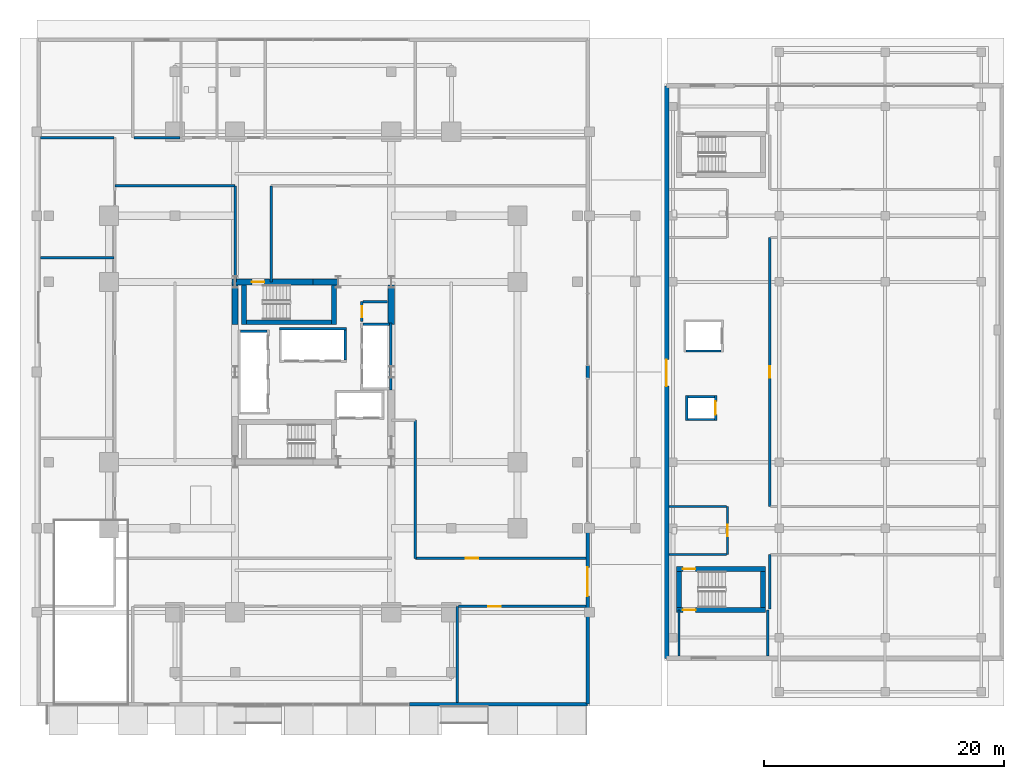
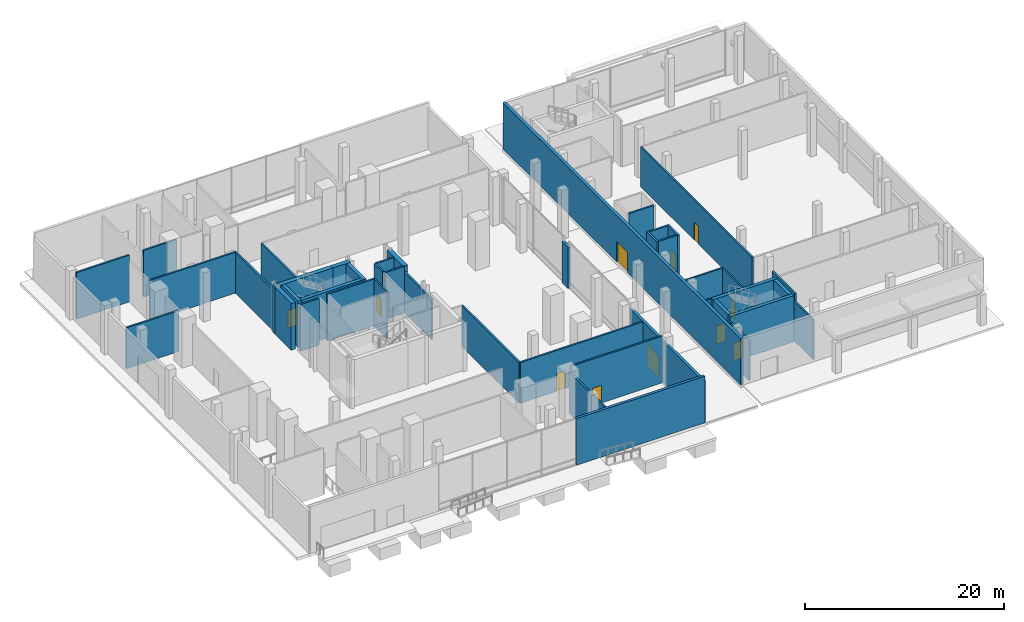
# One storey, part 26 of 34: 44 walls, 11 doors, 11 openings.
"""IFC4 building model written with IfcOpenShell, lengths in metres."""

import ifcopenshell
import ifcopenshell.guid

model = None  # the IFC model being written
_history = None  # IfcOwnerHistory: only IFC2X3 demands one
_inside = {}  # id of a spatial element -> (the spatial element, [elements in it])
_under = {}  # id of a project, library or spatial element -> (it, [spatial elements below it])
_declared = {}  # id of a project -> (the project, [libraries it declares])
_typed = {}  # id of a type object -> (the type object, [elements of that type])
_made_of = {}  # id of a material, layer set ... -> (it, [elements and type objects made of it])


def new_model(schema):
    """Start an empty IFC model of exactly this schema.

    Asked for "IFC4X3", IfcOpenShell would pick the latest addendum, in which some entities
    have other attributes; the version numbers below select the first issue.
    IFC2X3 requires an IfcOwnerHistory on every rooted entity: one is made here for all.
    """
    global model, _history
    if schema == "IFC4X3":
        model = ifcopenshell.file(schema_version=(4, 3, 0, 0))
    else:
        model = ifcopenshell.file(schema=schema)
    _inside.clear()
    _under.clear()
    _declared.clear()
    _typed.clear()
    _made_of.clear()
    _history = None
    if model.schema == "IFC2X3":
        org = make("IfcOrganization", Name="unknown")
        user = make(
            "IfcPersonAndOrganization",
            ThePerson=make("IfcPerson", FamilyName="unknown"),
            TheOrganization=org,
        )
        app = make(
            "IfcApplication",
            ApplicationDeveloper=org,
            Version="unknown",
            ApplicationFullName="unknown",
            ApplicationIdentifier="unknown",
        )
        _history = make(
            "IfcOwnerHistory",
            OwningUser=user,
            OwningApplication=app,
            ChangeAction="ADDED",
            CreationDate=0,
        )
    return model


def make(cls, **values):
    """One entity of the class cls with the attributes given. An attribute that is None is left unset."""
    return model.create_entity(
        cls, **{name: value for name, value in values.items() if value is not None}
    )


def rooted(cls, **values):
    """An entity with a GlobalId (a new one), such as an element, a storey or a relation."""
    return make(cls, GlobalId=ifcopenshell.guid.new(), OwnerHistory=_history, **values)


def si_unit(unit_type, name, prefix=None):
    """IfcSIUnit, for example si_unit("LENGTHUNIT", "METRE", prefix="MILLI")."""
    return make("IfcSIUnit", UnitType=unit_type, Prefix=prefix, Name=name)


def assignment(units):
    """IfcUnitAssignment: the units of a project."""
    return None if units is None else make("IfcUnitAssignment", Units=units)


def point(xyz):
    """IfcCartesianPoint."""
    return None if xyz is None else make("IfcCartesianPoint", Coordinates=xyz)


def direction(xyz):
    """IfcDirection."""
    return None if xyz is None else make("IfcDirection", DirectionRatios=xyz)


def frame(location, z_axis=None, x_axis=None):
    """IfcAxis2Placement3D, a coordinate frame: its origin and axes. An axis left out is left unset."""
    return make(
        "IfcAxis2Placement3D",
        Location=point(location),
        Axis=direction(z_axis),
        RefDirection=direction(x_axis),
    )


def frame_2d(location, x_axis=None):
    """IfcAxis2Placement2D, a coordinate frame in the plane: its origin and x axis."""
    return make(
        "IfcAxis2Placement2D", Location=point(location), RefDirection=direction(x_axis)
    )


def origin():
    """The frame at (0, 0, 0) with its axes left unset."""
    return frame((0.0, 0.0, 0.0))


def place(relative_to, where):
    """IfcLocalPlacement: puts the frame where relative to a parent placement (None: the world)."""
    return make(
        "IfcLocalPlacement", PlacementRelTo=relative_to, RelativePlacement=where
    )


def context(
    kind, dimensions, precision=None, world=None, true_north=None, identifier=None
):
    """IfcGeometricRepresentationContext, for example the 3D "Model" context."""
    return make(
        "IfcGeometricRepresentationContext",
        ContextIdentifier=identifier,
        ContextType=kind,
        CoordinateSpaceDimension=dimensions,
        Precision=precision,
        WorldCoordinateSystem=world,
        TrueNorth=true_north,
    )


def subcontext(parent, identifier, kind, view, scale=None):
    """IfcGeometricRepresentationSubContext, for example "Body" below "Model"."""
    return make(
        "IfcGeometricRepresentationSubContext",
        ContextIdentifier=identifier,
        ContextType=kind,
        ParentContext=parent,
        TargetScale=scale,
        TargetView=view,
    )


def project(units=None, contexts=None):
    """IfcProject with its units and contexts."""
    return rooted(
        "IfcProject",
        Name="project",
        RepresentationContexts=contexts,
        UnitsInContext=assignment(units),
    )


def spatial(cls, under=None, at=None, **own):
    """A site, building, storey or space (cls), placed at a placement, below another one or the project."""
    s = rooted(cls, ObjectPlacement=at, **own)
    if under is not None:
        _under.setdefault(under.id(), (under, []))[1].append(s)
    return s


def profile(cls, at=None, kind="AREA", **sizes):
    """A parametric profile (cls). Its sizes go by their IFC names, for example OverallWidth=200.0."""
    return make(cls, ProfileType=kind, Position=at, **sizes)


def rectangle(**sizes):
    """IfcRectangleProfileDef."""
    return profile("IfcRectangleProfileDef", **sizes)


def extrude(swept, where, along, depth):
    """IfcExtrudedAreaSolid: the profile swept, set in the frame where, extruded along a direction by depth."""
    return make(
        "IfcExtrudedAreaSolid",
        SweptArea=swept,
        Position=where,
        ExtrudedDirection=direction(along),
        Depth=depth,
    )


def shape(context_of_items, identifier, shape_type, items):
    """IfcShapeRepresentation: the items that make up one representation, for example the "Body"."""
    return make(
        "IfcShapeRepresentation",
        ContextOfItems=context_of_items,
        RepresentationIdentifier=identifier,
        RepresentationType=shape_type,
        Items=items,
    )


def material(Name=None, Category=None):
    """IfcMaterial."""
    return make("IfcMaterial", Name=Name, Category=Category)


def layer(
    of_material, thickness, ventilated=None, Name=None, Category=None, Priority=None
):
    """IfcMaterialLayer: one layer of a wall or slab, of a material (None: an air gap)."""
    return make(
        "IfcMaterialLayer",
        Material=of_material,
        LayerThickness=thickness,
        IsVentilated=ventilated,
        Name=Name,
        Category=Category,
        Priority=Priority,
    )


def layer_set(layers, Name=None):
    """IfcMaterialLayerSet."""
    return make("IfcMaterialLayerSet", MaterialLayers=layers, LayerSetName=Name)


def made_of(thing, what):
    """Note that an element or type object is made of a material, layer set ...; save() writes the relation."""
    if what is not None:
        _made_of.setdefault(what.id(), (what, []))[1].append(thing)
    return thing


def type_object(cls, material=None, **own):
    """A type object (cls), such as IfcWallType, which elements share."""
    return made_of(rooted(cls, **own), material)


def element(
    cls,
    number,
    at=None,
    inside=None,
    cuts=None,
    type_object=None,
    material=None,
    context=None,
    identifier="Body",
    shape_type=None,
    held_by="IfcProductDefinitionShape",
    body=None,
    shapes=None,
    **own,
):
    """One element of the class cls, such as IfcWall. Its Tag is "e" and its number.

    at: its placement. inside: the storey or other place that contains it. cuts: it is an
    opening in that element (IfcRelVoidsElement). A single representation is given by context,
    identifier, shape_type and body (its items); several are given by shapes. held_by: the class
    of the entity that holds the representations. save() writes the other relations.
    """
    e = rooted(cls, Tag="e%d" % number, ObjectPlacement=at, **own)
    if body is not None:
        shapes = [shape(context, identifier, shape_type, body)]
    if shapes is not None:
        e.Representation = make(held_by, Representations=shapes)
    if inside is not None:
        _inside.setdefault(inside.id(), (inside, []))[1].append(e)
    if cuts is not None:
        rooted(
            "IfcRelVoidsElement", RelatingBuildingElement=cuts, RelatedOpeningElement=e
        )
    if type_object is not None:
        _typed.setdefault(type_object.id(), (type_object, []))[1].append(e)
    return made_of(e, material)


def fill(opening, filler):
    """IfcRelFillsElement: the door or window that sits in an opening."""
    return rooted(
        "IfcRelFillsElement",
        RelatingOpeningElement=opening,
        RelatedBuildingElement=filler,
    )


def aggregate(whole, parts):
    """IfcRelAggregates: a whole, such as a stair, and the parts it consists of."""
    return rooted("IfcRelAggregates", RelatingObject=whole, RelatedObjects=parts)


def save(model, path):
    """Write the relations noted so far, then the file.

    IfcRelAggregates (storeys below a building ...), IfcRelContainedInSpatialStructure (elements
    in a storey), IfcRelDefinesByType, IfcRelAssociatesMaterial and IfcRelDeclares: one each for
    every whole, place, type object, material and project.
    """
    for whole, parts in _under.values():
        aggregate(whole, parts)
    for where, things in _inside.values():
        rooted(
            "IfcRelContainedInSpatialStructure",
            RelatedElements=things,
            RelatingStructure=where,
        )
    for kind, things in _typed.values():
        rooted("IfcRelDefinesByType", RelatedObjects=things, RelatingType=kind)
    for what, things in _made_of.values():
        rooted("IfcRelAssociatesMaterial", RelatedObjects=things, RelatingMaterial=what)
    for by, libraries in _declared.values():
        rooted("IfcRelDeclares", RelatingContext=by, RelatedDefinitions=libraries)
    model.write(path)


model = new_model("IFC4")

# Units and contexts
model_context = context("Model", 3, precision=1e-05, world=origin(), true_north=direction((0.0, 1.0)))
body_context = subcontext(model_context, "Body", "Model", "MODEL_VIEW")
ifc_project = project(units=[si_unit("LENGTHUNIT", "METRE"), si_unit("AREAUNIT", "SQUARE_METRE"), si_unit("VOLUMEUNIT", "CUBIC_METRE"), si_unit("PLANEANGLEUNIT", "RADIAN"), si_unit("MASSUNIT", "GRAM", prefix="KILO")], contexts=[model_context])

# Site, building, storey
site_placement = place(None, origin())
site = spatial("IfcSite", under=ifc_project, at=site_placement, CompositionType="ELEMENT")
building_placement = place(site_placement, origin())
building = spatial("IfcBuilding", under=site, at=building_placement, Name="Barlavira Tower and Art Museum", CompositionType="ELEMENT")
storey_placement = place(building_placement, origin())
storey = spatial("IfcBuildingStorey", under=building, at=storey_placement, Name="L00", CompositionType="ELEMENT", Elevation=0.0)

# Wall, opening, door
ifc_material_1 = material(Name="Concrete C60", Category="concrete")
ifc_layer_1 = layer(ifc_material_1, 0.5, Name="Concrete C60")
ifc_layer_set_1 = layer_set([ifc_layer_1], Name="Concrete C60")
wall_type_1 = type_object("IfcWallType", Name="Core Structural Shear Wall 500 Concrete C60", PredefinedType="SHEAR", material=ifc_layer_set_1)
wall_1_placement = place(storey_placement, frame((-6.75, 7.5, 0.0), z_axis=(0.0, 0.0, 1.0), x_axis=(1.0, 0.0, 0.0)))
wall_1 = element("IfcWall", 1, at=wall_1_placement, inside=storey, type_object=wall_type_1, Name="L00 Core Shear Wall CS-NW", PredefinedType="SHEAR", context=body_context, shape_type="SweptSolid", body=[
    extrude(rectangle(XDim=6.75, YDim=0.5, at=frame_2d((3.375, 0.0))), origin(), (0.0, 0.0, 1.0), 5.719970703125),
])
opening_1_placement = place(wall_1_placement, frame((1.64990234375, 0.0, 0.0)))
opening_1 = element("IfcOpeningElement", 2, at=opening_1_placement, cuts=wall_1, Name="Opening FD-90", PredefinedType="OPENING", context=body_context, shape_type="SweptSolid", body=[
    extrude(rectangle(XDim=1.050048828125, YDim=2.14990234375, at=frame_2d((0.52490234375, 1.074951171875))), frame((0.0, 0.260009765625, 0.0), z_axis=(0.0, -1.0, 0.0), x_axis=(1.0, 0.0, 0.0)), (0.0, 0.0, 1.0), 0.52001953125),
])
ifc_material_2 = material(Name="Brushed stainless steel", Category="steel")
door_type_1 = type_object("IfcDoorType", Name="Stair and Refuge Fire Door 1050x2150 FD90S", OperationType="NOTDEFINED", PredefinedType="DOOR", material=ifc_material_2)
door_1_placement = place(opening_1_placement, origin())
door_1 = element("IfcDoor", 3, at=door_1_placement, inside=storey, type_object=door_type_1, Name="L00 Stair ST-T2 Fire Door", OperationType="SINGLE_SWING_LEFT", OverallHeight=2.14990234375, OverallWidth=1.050048828125, PredefinedType="DOOR", context=body_context, shape_type="SweptSolid", body=[
    extrude(rectangle(XDim=1.050048828125, YDim=2.14990234375, at=frame_2d((0.52490234375, 1.074951171875))), frame((0.0, 0.02490234375, 0.0), z_axis=(0.0, -1.0, 0.0), x_axis=(1.0, 0.0, 0.0)), (0.0, 0.0, 1.0), 0.050048828125),
])
fill(opening_1, door_1)

# Walls
wall_2_placement = place(storey_placement, frame((0.0, 7.5, 0.0), z_axis=(0.0, 0.0, 1.0), x_axis=(1.0, 0.0, 0.0)))
element("IfcWall", 4, at=wall_2_placement, inside=storey, type_object=wall_type_1, Name="L00 Core Shear Wall CS-EN", PredefinedType="SHEAR", context=body_context, shape_type="SweptSolid", body=[
    extrude(rectangle(XDim=2.080078125, YDim=0.5, at=frame_2d((1.0400390625, 0.0))), origin(), (0.0, 0.0, 1.0), 5.719970703125),
])
for number, where, z_axis, x_axis, name in (
    (5, (-6.5, 3.949951171875, 0.0), (0.0, 0.0, 1.0), (0.0, 1.0, 0.0), "L00 Core Shear Wall CS-W2"),
    (6, (6.5, 3.949951171875, 0.0), (0.0, 0.0, 1.0), (0.0, 1.0, 0.0), "L00 Core Shear Wall CS-E2"),
):
    element("IfcWall", number, at=place(storey_placement, frame(where, z_axis=z_axis, x_axis=x_axis)), inside=storey, type_object=wall_type_1, Name=name, PredefinedType="SHEAR", context=body_context, shape_type="SweptSolid", body=[
        extrude(rectangle(XDim=3.300048828125, YDim=0.5, at=frame_2d((1.64990234375, 0.0))), origin(), (0.0, 0.0, 1.0), 5.719970703125),
    ])
ifc_material_3 = material(Name="Autoclaved aerated concrete masonry", Category="masonry")
ifc_layer_2 = layer(ifc_material_3, 0.199951171875, Name="Autoclaved aerated concrete masonry")
ifc_layer_set_2 = layer_set([ifc_layer_2], Name="Autoclaved aerated concrete masonry")
wall_type_2 = type_object("IfcWallType", Name="Fire Compartment and Shaft Wall 200", PredefinedType="SOLIDWALL", material=ifc_layer_set_2)
wall_3_placement = place(storey_placement, frame((-6.050048828125, 3.409912109375, 0.0), z_axis=(0.0, 0.0, 1.0), x_axis=(1.0, 0.0, 0.0)))
element("IfcWall", 7, at=wall_3_placement, inside=storey, type_object=wall_type_2, Name="L00 Low-Rise Lift North Shaft Wall", PredefinedType="SOLIDWALL", context=body_context, shape_type="SweptSolid", body=[
    extrude(rectangle(XDim=2.199951171875, YDim=0.199951171875, at=frame_2d((1.10009765625, 0.0))), origin(), (0.0, 0.0, 1.0), 5.719970703125),
])
wall_4_placement = place(storey_placement, frame((6.449951171875, -1.489990234375, 0.0), z_axis=(0.0, 0.0, 1.0), x_axis=(0.0, 1.0, 0.0)))
element("IfcWall", 8, at=wall_4_placement, inside=storey, type_object=wall_type_2, Name="L00 Mid-Rise Lift Back Shaft Wall", PredefinedType="SOLIDWALL", context=body_context, shape_type="SweptSolid", body=[
    extrude(rectangle(XDim=5.580078125, YDim=0.199951171875, at=frame_2d((2.7900390625, 0.0))), origin(), (0.0, 0.0, 1.0), 5.010009765625),
])
wall_5_placement = place(storey_placement, frame((4.14990234375, 3.989990234375, 0.0), z_axis=(0.0, 0.0, 1.0), x_axis=(1.0, 0.0, 0.0)))
element("IfcWall", 9, at=wall_5_placement, inside=storey, type_object=wall_type_2, Name="L00 Mid-Rise Lift North Shaft Wall", PredefinedType="SOLIDWALL", context=body_context, shape_type="SweptSolid", body=[
    extrude(rectangle(XDim=2.2001953125, YDim=0.199951171875, at=frame_2d((1.10009765625, 0.0))), origin(), (0.0, 0.0, 1.0), 5.719970703125),
])
wall_6_placement = place(storey_placement, frame((-2.820068359375, 3.60009765625, 0.0), z_axis=(0.0, 0.0, 1.0), x_axis=(1.0, 0.0, 0.0)))
element("IfcWall", 10, at=wall_6_placement, inside=storey, type_object=wall_type_2, Name="L00 High-Rise & Service Lift Back Wall", PredefinedType="SOLIDWALL", context=body_context, shape_type="SweptSolid", body=[
    extrude(rectangle(XDim=5.580078125, YDim=0.199951171875, at=frame_2d((2.7900390625, 0.0))), origin(), (0.0, 0.0, 1.0), 5.719970703125),
])
wall_7_placement = place(storey_placement, frame((2.659912109375, 1.0, 0.0), z_axis=(0.0, 0.0, 1.0), x_axis=(0.0, 1.0, 0.0)))
element("IfcWall", 11, at=wall_7_placement, inside=storey, type_object=wall_type_2, Name="L00 High-Rise & Service Lift East Wall", PredefinedType="SOLIDWALL", context=body_context, shape_type="SweptSolid", body=[
    extrude(rectangle(XDim=2.5, YDim=0.199951171875, at=frame_2d((1.25, 0.0))), origin(), (0.0, 0.0, 1.0), 5.719970703125),
])

# Wall, opening, door
wall_8_placement = place(storey_placement, frame((33.5, -4.050048828125, 0.0), z_axis=(0.0, 0.0, 1.0), x_axis=(0.0, 1.0, 0.0)))
wall_8 = element("IfcWall", 12, at=wall_8_placement, inside=storey, type_object=wall_type_2, Name="L00 Museum Lift ML1 Front Wall", PredefinedType="SOLIDWALL", context=body_context, shape_type="SweptSolid", body=[
    extrude(rectangle(XDim=2.10009765625, YDim=0.199951171875, at=frame_2d((1.050048828125, 0.0))), origin(), (0.0, 0.0, 1.0), 4.89697265625),
])
opening_2_placement = place(wall_8_placement, frame((0.5, 0.0, 0.0)))
opening_2 = element("IfcOpeningElement", 13, at=opening_2_placement, cuts=wall_8, Name="Opening LD-P", PredefinedType="OPENING", context=body_context, shape_type="SweptSolid", body=[
    extrude(rectangle(XDim=1.10009765625, YDim=2.14990234375, at=frame_2d((0.550048828125, 1.074951171875))), frame((0.0, 0.10986328125, 0.0), z_axis=(0.0, -1.0, 0.0), x_axis=(1.0, 0.0, 0.0)), (0.0, 0.0, 1.0), 0.219970703125),
])
door_type_2 = type_object("IfcDoorType", Name="Passenger Lift Sliding Landing Door 1100x2150 FD60", OperationType="NOTDEFINED", PredefinedType="DOOR", material=ifc_material_2)
door_2_placement = place(opening_2_placement, origin())
door_2 = element("IfcDoor", 14, at=door_2_placement, inside=storey, type_object=door_type_2, Name="L00 Museum Lift ML1 Sliding Landing Door", OperationType="DOUBLE_DOOR_SLIDING", OverallHeight=2.14990234375, OverallWidth=1.10009765625, PredefinedType="DOOR", context=body_context, shape_type="SweptSolid", body=[
    extrude(rectangle(XDim=1.10009765625, YDim=2.14990234375, at=frame_2d((0.550048828125, 1.074951171875))), frame((0.0, 0.02490234375, 0.0), z_axis=(0.0, -1.0, 0.0), x_axis=(1.0, 0.0, 0.0)), (0.0, 0.0, 1.0), 0.050048828125),
])
fill(opening_2, door_2)

# Walls
wall_9_placement = place(storey_placement, frame((31.10009765625, -4.050048828125, 0.0), z_axis=(0.0, 0.0, 1.0), x_axis=(0.0, 1.0, 0.0)))
element("IfcWall", 15, at=wall_9_placement, inside=storey, type_object=wall_type_2, Name="L00 Museum Lift ML1 Back Wall", PredefinedType="SOLIDWALL", context=body_context, shape_type="SweptSolid", body=[
    extrude(rectangle(XDim=2.10009765625, YDim=0.199951171875, at=frame_2d((1.050048828125, 0.0))), origin(), (0.0, 0.0, 1.0), 4.89697265625),
])
for number, where, z_axis, x_axis, name in (
    (16, (31.199951171875, -3.949951171875, 0.0), (0.0, 0.0, 1.0), (1.0, 0.0, 0.0), "L00 Museum Lift ML1 South Wall"),
    (17, (31.199951171875, -2.050048828125, 0.0), (0.0, 0.0, 1.0), (1.0, 0.0, 0.0), "L00 Museum Lift ML1 North Wall"),
):
    element("IfcWall", number, at=place(storey_placement, frame(where, z_axis=z_axis, x_axis=x_axis)), inside=storey, type_object=wall_type_2, Name=name, PredefinedType="SOLIDWALL", context=body_context, shape_type="SweptSolid", body=[
        extrude(rectangle(XDim=2.199951171875, YDim=0.199951171875, at=frame_2d((1.10009765625, 0.0))), origin(), (0.0, 0.0, 1.0), 4.89697265625),
    ])
wall_10_placement = place(storey_placement, frame((31.050048828125, 1.75, 0.0), z_axis=(0.0, 0.0, 1.0), x_axis=(1.0, 0.0, 0.0)))
element("IfcWall", 18, at=wall_10_placement, inside=storey, type_object=wall_type_2, Name="L00 Museum Lift MG1 South Wall", PredefinedType="SOLIDWALL", context=body_context, shape_type="SweptSolid", body=[
    extrude(rectangle(XDim=2.89990234375, YDim=0.199951171875, at=frame_2d((1.449951171875, 0.0))), origin(), (0.0, 0.0, 1.0), 4.89697265625),
])

# Wall, opening, door
wall_11_placement = place(storey_placement, frame((8.5, -15.5, 0.0), z_axis=(0.0, 0.0, 1.0), x_axis=(1.0, 0.0, 0.0)))
wall_11 = element("IfcWall", 19, at=wall_11_placement, inside=storey, type_object=wall_type_2, Name="L00 South Protected Exit Corridor Wall E", PredefinedType="SOLIDWALL", context=body_context, shape_type="SweptSolid", body=[
    extrude(rectangle(XDim=14.199951171875, YDim=0.199951171875, at=frame_2d((7.10009765625, 0.0))), origin(), (0.0, 0.0, 1.0), 5.010009765625),
])
opening_3_placement = place(wall_11_placement, frame((4.199951171875, 0.0, 0.0)))
opening_3 = element("IfcOpeningElement", 20, at=opening_3_placement, cuts=wall_11, Name="Opening FD-90", PredefinedType="OPENING", context=body_context, shape_type="SweptSolid", body=[
    extrude(rectangle(XDim=1.050048828125, YDim=2.14990234375, at=frame_2d((0.52490234375, 1.074951171875))), frame((0.0, 0.10986328125, 0.0), z_axis=(0.0, -1.0, 0.0), x_axis=(1.0, 0.0, 0.0)), (0.0, 0.0, 1.0), 0.219970703125),
])
door_3_placement = place(opening_3_placement, origin())
door_3 = element("IfcDoor", 21, at=door_3_placement, inside=storey, type_object=door_type_1, Name="L00 Lobby to South Protected Exit Corridor Fire Door", OperationType="SINGLE_SWING_RIGHT", OverallHeight=2.14990234375, OverallWidth=1.050048828125, PredefinedType="DOOR", context=body_context, shape_type="SweptSolid", body=[
    extrude(rectangle(XDim=1.050048828125, YDim=2.14990234375, at=frame_2d((0.52490234375, 1.074951171875))), frame((0.0, 0.02490234375, 0.0), z_axis=(0.0, -1.0, 0.0), x_axis=(1.0, 0.0, 0.0)), (0.0, 0.0, 1.0), 0.050048828125),
])
fill(opening_3, door_3)

# Walls
wall_12_placement = place(storey_placement, frame((8.5, -15.5, 0.0), z_axis=(0.0, 0.0, 1.0), x_axis=(0.0, 1.0, 0.0)))
element("IfcWall", 22, at=wall_12_placement, inside=storey, type_object=wall_type_2, Name="L00 ST-T1 Protected Discharge Link East Wall", PredefinedType="SOLIDWALL", context=body_context, shape_type="SweptSolid", body=[
    extrude(rectangle(XDim=11.5, YDim=0.199951171875, at=frame_2d((5.75, 0.0))), origin(), (0.0, 0.0, 1.0), 5.010009765625),
])
wall_13_placement = place(storey_placement, frame((-16.5, 15.5, 0.0), z_axis=(0.0, 0.0, 1.0), x_axis=(1.0, 0.0, 0.0)))
element("IfcWall", 23, at=wall_13_placement, inside=storey, type_object=wall_type_2, Name="L00 North Protected Exit Corridor Wall W", PredefinedType="SOLIDWALL", context=body_context, shape_type="SweptSolid", body=[
    extrude(rectangle(XDim=10.0, YDim=0.199951171875, at=frame_2d((5.0, 0.0))), origin(), (0.0, 0.0, 1.0), 5.010009765625),
])
for number, where, z_axis, x_axis, name in (
    (24, (-6.5, 7.5, 0.0), (0.0, 0.0, 1.0), (0.0, 1.0, 0.0), "L00 ST-T2 Protected Discharge Link West Wall"),
    (25, (-3.5, 7.5, 0.0), (0.0, 0.0, 1.0), (0.0, 1.0, 0.0), "L00 ST-T2 Protected Discharge Link East Wall"),
):
    element("IfcWall", number, at=place(storey_placement, frame(where, z_axis=z_axis, x_axis=x_axis)), inside=storey, type_object=wall_type_2, Name=name, PredefinedType="SOLIDWALL", context=body_context, shape_type="SweptSolid", body=[
        extrude(rectangle(XDim=8.0, YDim=0.199951171875, at=frame_2d((4.0, 0.0))), origin(), (0.0, 0.0, 1.0), 5.010009765625),
    ])
for number, where, z_axis, x_axis, name in (
    (26, (30.449951171875, -23.64990234375, 0.0), (0.0, 0.0, 1.0), (0.0, 1.0, 0.0), "L00 Museum ST-M1 Exit Passage West Wall"),
    (27, (37.85009765625, -23.64990234375, 0.0), (0.0, 0.0, 1.0), (0.0, 1.0, 0.0), "L00 Museum ST-M1 Exit Passage East Wall"),
):
    element("IfcWall", number, at=place(storey_placement, frame(where, z_axis=z_axis, x_axis=x_axis)), inside=storey, type_object=wall_type_2, Name=name, PredefinedType="SOLIDWALL", context=body_context, shape_type="SweptSolid", body=[
        extrude(rectangle(XDim=3.849853515625, YDim=0.199951171875, at=frame_2d((1.9248046875, 0.0))), origin(), (0.0, 0.0, 1.0), 4.89697265625),
    ])

# Wall, opening, door
wall_14_placement = place(storey_placement, frame((4.050048828125, 4.199951171875, 0.0), z_axis=(0.0, 0.0, 1.0), x_axis=(0.0, 1.0, 0.0)))
wall_14 = element("IfcWall", 28, at=wall_14_placement, inside=storey, type_object=wall_type_2, Name="L00 Partition Wall 9", PredefinedType="SOLIDWALL", context=body_context, shape_type="SweptSolid", body=[
    extrude(rectangle(XDim=1.650146484375, YDim=0.199951171875, at=frame_2d((0.8251953125, 0.0))), origin(), (0.0, 0.0, 1.0), 5.719970703125),
])
opening_4_placement = place(wall_14_placement, frame((0.344970703125, 0.0, 0.0)))
opening_4 = element("IfcOpeningElement", 29, at=opening_4_placement, cuts=wall_14, Name="Opening FD-60", PredefinedType="OPENING", context=body_context, shape_type="SweptSolid", body=[
    extrude(rectangle(XDim=0.949951171875, YDim=2.14990234375, at=frame_2d((0.47509765625, 1.074951171875))), frame((0.0, 0.10986328125, 0.0), z_axis=(0.0, -1.0, 0.0), x_axis=(1.0, 0.0, 0.0)), (0.0, 0.0, 1.0), 0.219970703125),
])
door_type_3 = type_object("IfcDoorType", Name="Apartment Entrance and Riser Fire Door 950x2150 FD60S", OperationType="NOTDEFINED", PredefinedType="DOOR", material=ifc_material_2)
door_4_placement = place(opening_4_placement, origin())
door_4 = element("IfcDoor", 30, at=door_4_placement, inside=storey, type_object=door_type_3, Name="Telecom and BMS Distribution Room Door", OperationType="SINGLE_SWING_RIGHT", OverallHeight=2.14990234375, OverallWidth=0.949951171875, PredefinedType="DOOR", context=body_context, shape_type="SweptSolid", body=[
    extrude(rectangle(XDim=0.949951171875, YDim=2.14990234375, at=frame_2d((0.47509765625, 1.074951171875))), frame((0.0, 0.02490234375, 0.0), z_axis=(0.0, -1.0, 0.0), x_axis=(1.0, 0.0, 0.0)), (0.0, 0.0, 1.0), 0.050048828125),
])
fill(opening_4, door_4)

# Walls
wall_15_placement = place(storey_placement, frame((12.0, -27.4951171875, 0.0), z_axis=(0.0, 0.0, 1.0), x_axis=(0.0, 1.0, 0.0)))
element("IfcWall", 31, at=wall_15_placement, inside=storey, type_object=wall_type_2, Name="L00 Partition Wall 11", PredefinedType="SOLIDWALL", context=body_context, shape_type="SweptSolid", body=[
    extrude(rectangle(XDim=7.9951171875, YDim=0.199951171875, at=frame_2d((3.99755859375, 0.0))), origin(), (0.0, 0.0, 1.0), 5.075927734375),
])
wall_16_placement = place(storey_placement, frame((38.0, -19.739990234375, 0.0), z_axis=(0.0, 0.0, 1.0), x_axis=(0.0, 1.0, 0.0)))
element("IfcWall", 32, at=wall_16_placement, inside=storey, type_object=wall_type_2, Name="L00 Partition Wall 14", PredefinedType="SOLIDWALL", context=body_context, shape_type="SweptSolid", body=[
    extrude(rectangle(XDim=4.5400390625, YDim=0.199951171875, at=frame_2d((2.27001953125, 0.0))), origin(), (0.0, 0.0, 1.0), 5.679931640625),
])

# Wall, opening, door
wall_17_placement = place(storey_placement, frame((12.080078125, -19.5, 0.0), z_axis=(0.0, 0.0, 1.0), x_axis=(1.0, 0.0, 0.0)))
wall_17 = element("IfcWall", 33, at=wall_17_placement, inside=storey, type_object=wall_type_2, Name="L00 Partition Wall 21", PredefinedType="SOLIDWALL", context=body_context, shape_type="SweptSolid", body=[
    extrude(rectangle(XDim=10.614990234375, YDim=0.199951171875, at=frame_2d((5.3076171875, 0.0))), origin(), (0.0, 0.0, 1.0), 5.719970703125),
])
opening_5_placement = place(wall_17_placement, frame((2.4951171875, 0.0, 0.0)))
opening_5 = element("IfcOpeningElement", 34, at=opening_5_placement, cuts=wall_17, Name="Opening FD-90", PredefinedType="OPENING", context=body_context, shape_type="SweptSolid", body=[
    extrude(rectangle(XDim=1.050048828125, YDim=2.14990234375, at=frame_2d((0.52490234375, 1.074951171875))), frame((0.0, 0.10986328125, 0.0), z_axis=(0.0, -1.0, 0.0), x_axis=(1.0, 0.0, 0.0)), (0.0, 0.0, 1.0), 0.219970703125),
])
door_5_placement = place(opening_5_placement, origin())
door_5 = element("IfcDoor", 35, at=door_5_placement, inside=storey, type_object=door_type_1, Name="Central Fire Command and Life-Safety Control Room Door", OperationType="SINGLE_SWING_LEFT", OverallHeight=2.14990234375, OverallWidth=1.050048828125, PredefinedType="DOOR", context=body_context, shape_type="SweptSolid", body=[
    extrude(rectangle(XDim=1.050048828125, YDim=2.14990234375, at=frame_2d((0.52490234375, 1.074951171875))), frame((0.0, 0.02490234375, 0.0), z_axis=(0.0, -1.0, 0.0), x_axis=(1.0, 0.0, 0.0)), (0.0, 0.0, 1.0), 0.050048828125),
])
fill(opening_5, door_5)

# Walls
wall_18_placement = place(storey_placement, frame((4.1298828125, 5.85009765625, 0.0), z_axis=(0.0, 0.0, 1.0), x_axis=(1.0, 0.0, 0.0)))
element("IfcWall", 36, at=wall_18_placement, inside=storey, type_object=wall_type_2, Name="L00 Partition Wall 27", PredefinedType="SOLIDWALL", context=body_context, shape_type="SweptSolid", body=[
    extrude(rectangle(XDim=2.070068359375, YDim=0.199951171875, at=frame_2d((1.03515625, 0.0))), origin(), (0.0, 0.0, 1.0), 5.719970703125),
])
wall_19_placement = place(storey_placement, frame((-22.695068359375, 9.5, 0.0), z_axis=(0.0, 0.0, 1.0), x_axis=(1.0, 0.0, 0.0)))
element("IfcWall", 37, at=wall_19_placement, inside=storey, type_object=wall_type_2, Name="L00 Partition Wall 28", PredefinedType="SOLIDWALL", context=body_context, shape_type="SweptSolid", body=[
    extrude(rectangle(XDim=6.114990234375, YDim=0.199951171875, at=frame_2d((3.0576171875, 0.0))), origin(), (0.0, 0.0, 1.0), 5.010009765625),
])
wall_20_placement = place(storey_placement, frame((-22.695068359375, 19.5, 0.0), z_axis=(0.0, 0.0, 1.0), x_axis=(1.0, 0.0, 0.0)))
element("IfcWall", 38, at=wall_20_placement, inside=storey, type_object=wall_type_2, Name="L00 Partition Wall 33", PredefinedType="SOLIDWALL", context=body_context, shape_type="SweptSolid", body=[
    extrude(rectangle(XDim=6.114990234375, YDim=0.199951171875, at=frame_2d((3.0576171875, 0.0))), origin(), (0.0, 0.0, 1.0), 5.719970703125),
])
wall_21_placement = place(storey_placement, frame((-14.919921875, 19.5, 0.0), z_axis=(0.0, 0.0, 1.0), x_axis=(1.0, 0.0, 0.0)))
element("IfcWall", 39, at=wall_21_placement, inside=storey, type_object=wall_type_2, Name="L00 Partition Wall 34", PredefinedType="SOLIDWALL", context=body_context, shape_type="SweptSolid", body=[
    extrude(rectangle(XDim=3.83984375, YDim=0.199951171875, at=frame_2d((1.919921875, 0.0))), origin(), (0.0, 0.0, 1.0), 5.719970703125),
])

# Wall, opening, door
ifc_material_4 = material(Name="Gypsum acoustic stud partition", Category="gypsum")
ifc_layer_3 = layer(ifc_material_4, 0.179931640625, Name="Gypsum acoustic stud partition")
ifc_layer_set_3 = layer_set([ifc_layer_3], Name="Gypsum acoustic stud partition")
wall_type_3 = type_object("IfcWallType", Name="Inter-Tenancy Party Partition Wall 180", PredefinedType="PARTITIONING", material=ifc_layer_set_3)
wall_22_placement = place(storey_placement, frame((34.5, -15.199951171875, 0.0), z_axis=(0.0, 0.0, 1.0), x_axis=(0.0, 1.0, 0.0)))
wall_22 = element("IfcWall", 40, at=wall_22_placement, inside=storey, type_object=wall_type_3, Name="L00 Partition Wall 12", PredefinedType="PARTITIONING", context=body_context, shape_type="SweptSolid", body=[
    extrude(rectangle(XDim=4.0, YDim=0.179931640625, at=frame_2d((2.0, 0.0))), origin(), (0.0, 0.0, 1.0), 4.89697265625),
])
opening_6_placement = place(wall_22_placement, frame((1.52490234375, 0.0, 0.0)))
opening_6 = element("IfcOpeningElement", 41, at=opening_6_placement, cuts=wall_22, Name="Opening FD-60", PredefinedType="OPENING", context=body_context, shape_type="SweptSolid", body=[
    extrude(rectangle(XDim=0.949951171875, YDim=2.14990234375, at=frame_2d((0.47509765625, 1.074951171875))), frame((0.0, 0.10009765625, 0.0), z_axis=(0.0, -1.0, 0.0), x_axis=(1.0, 0.0, 0.0)), (0.0, 0.0, 1.0), 0.199951171875),
])
door_6_placement = place(opening_6_placement, origin())
door_6 = element("IfcDoor", 42, at=door_6_placement, inside=storey, type_object=door_type_3, Name="Museum Ground Accessible Restroom Door", OperationType="SINGLE_SWING_LEFT", OverallHeight=2.14990234375, OverallWidth=0.949951171875, PredefinedType="DOOR", context=body_context, shape_type="SweptSolid", body=[
    extrude(rectangle(XDim=0.949951171875, YDim=2.14990234375, at=frame_2d((0.47509765625, 1.074951171875))), frame((0.0, 0.02490234375, 0.0), z_axis=(0.0, -1.0, 0.0), x_axis=(1.0, 0.0, 0.0)), (0.0, 0.0, 1.0), 0.050048828125),
])
fill(opening_6, door_6)

wall_23_placement = place(storey_placement, frame((38.0, -11.199951171875, 0.0), z_axis=(0.0, 0.0, 1.0), x_axis=(0.0, 1.0, 0.0)))
wall_23 = element("IfcWall", 43, at=wall_23_placement, inside=storey, type_object=wall_type_3, Name="L00 Partition Wall 15", PredefinedType="PARTITIONING", context=body_context, shape_type="SweptSolid", body=[
    extrude(rectangle(XDim=22.39990234375, YDim=0.179931640625, at=frame_2d((11.199951171875, 0.0))), origin(), (0.0, 0.0, 1.0), 4.89697265625),
])
opening_7_placement = place(wall_23_placement, frame((10.72509765625, 0.0, 0.0)))
opening_7 = element("IfcOpeningElement", 44, at=opening_7_placement, cuts=wall_23, Name="Opening FD-60", PredefinedType="OPENING", context=body_context, shape_type="SweptSolid", body=[
    extrude(rectangle(XDim=0.949951171875, YDim=2.14990234375, at=frame_2d((0.47509765625, 1.074951171875))), frame((0.0, 0.10009765625, 0.0), z_axis=(0.0, -1.0, 0.0), x_axis=(1.0, 0.0, 0.0)), (0.0, 0.0, 1.0), 0.199951171875),
])
door_7_placement = place(opening_7_placement, origin())
door_7 = element("IfcDoor", 45, at=door_7_placement, inside=storey, type_object=door_type_3, Name="Catarinense Modernism Permanent Gallery Door", OperationType="SINGLE_SWING_LEFT", OverallHeight=2.14990234375, OverallWidth=0.949951171875, PredefinedType="DOOR", context=body_context, shape_type="SweptSolid", body=[
    extrude(rectangle(XDim=0.949951171875, YDim=2.14990234375, at=frame_2d((0.47509765625, 1.074951171875))), frame((0.0, 0.02490234375, 0.0), z_axis=(0.0, -1.0, 0.0), x_axis=(1.0, 0.0, 0.0)), (0.0, 0.0, 1.0), 0.050048828125),
])
fill(opening_7, door_7)

# Walls
wall_24_placement = place(storey_placement, frame((29.60498046875, -15.199951171875, 0.0), z_axis=(0.0, 0.0, 1.0), x_axis=(1.0, 0.0, 0.0)))
element("IfcWall", 46, at=wall_24_placement, inside=storey, type_object=wall_type_3, Name="L00 Partition Wall 22", PredefinedType="PARTITIONING", context=body_context, shape_type="SweptSolid", body=[
    extrude(rectangle(XDim=4.81494140625, YDim=0.179931640625, at=frame_2d((2.407470703125, 0.0))), origin(), (0.0, 0.0, 1.0), 4.81396484375),
])
wall_25_placement = place(storey_placement, frame((29.60498046875, -11.199951171875, 0.0), z_axis=(0.0, 0.0, 1.0), x_axis=(1.0, 0.0, 0.0)))
element("IfcWall", 47, at=wall_25_placement, inside=storey, type_object=wall_type_3, Name="L00 Partition Wall 24", PredefinedType="PARTITIONING", context=body_context, shape_type="SweptSolid", body=[
    extrude(rectangle(XDim=4.81494140625, YDim=0.179931640625, at=frame_2d((2.407470703125, 0.0))), origin(), (0.0, 0.0, 1.0), 4.89697265625),
])

# Wall, opening, door
ifc_material_5 = material(Name="Precast concrete C40", Category="concrete")
ifc_layer_4 = layer(ifc_material_5, 0.35009765625, Name="Precast concrete C40")
ifc_layer_set_4 = layer_set([ifc_layer_4], Name="Precast concrete C40")
wall_type_4 = type_object("IfcWallType", Name="Museum Board-Formed Concrete Facade Wall 350 Concrete C40", PredefinedType="SOLIDWALL", material=ifc_layer_set_4)
wall_26_placement = place(storey_placement, frame((29.425048828125, 23.824951171875, 0.0), z_axis=(0.0, 0.0, 1.0), x_axis=(0.0, -1.0, 0.0)))
wall_26 = element("IfcWall", 48, at=wall_26_placement, inside=storey, type_object=wall_type_4, Name="L00 Museum West Arcade Wall", PredefinedType="SOLIDWALL", context=body_context, shape_type="SweptSolid", body=[
    extrude(rectangle(XDim=47.64990234375, YDim=0.35009765625, at=frame_2d((23.824951171875, 0.0))), origin(), (0.0, 0.0, 1.0), 5.679931640625),
])
opening_8_placement = place(wall_26_placement, frame((22.800048828125, 0.0, 0.0)))
opening_8 = element("IfcOpeningElement", 49, at=opening_8_placement, cuts=wall_26, Name="Opening ED-02", PredefinedType="OPENING", context=body_context, shape_type="SweptSolid", body=[
    extrude(rectangle(XDim=2.199951171875, YDim=2.5, at=frame_2d((1.10009765625, 1.25))), frame((0.0, 0.18505859375, 0.0), z_axis=(0.0, -1.0, 0.0), x_axis=(1.0, 0.0, 0.0)), (0.0, 0.0, 1.0), 0.3701171875),
])
ifc_material_6 = material(Name="Pale anodised aluminium", Category="aluminium")
door_type_4 = type_object("IfcDoorType", Name="Museum Foyer Entrance Double Door 2200x2500", OperationType="NOTDEFINED", PredefinedType="DOOR", material=ifc_material_6)
door_8_placement = place(opening_8_placement, origin())
door_8 = element("IfcDoor", 50, at=door_8_placement, inside=storey, type_object=door_type_4, Name="Coastal Art Museum Main Foyer Entrance Door", OperationType="DOUBLE_DOOR_SINGLE_SWING", OverallHeight=2.5, OverallWidth=2.199951171875, PredefinedType="DOOR", context=body_context, shape_type="SweptSolid", body=[
    extrude(rectangle(XDim=2.199951171875, YDim=2.5, at=frame_2d((1.10009765625, 1.25))), frame((0.0, 0.02490234375, 0.0), z_axis=(0.0, -1.0, 0.0), x_axis=(1.0, 0.0, 0.0)), (0.0, 0.0, 1.0), 0.050048828125),
])
fill(opening_8, door_8)

# Wall
ifc_layer_5 = layer(ifc_material_5, 0.300048828125, Name="Precast concrete C40")
ifc_layer_set_5 = layer_set([ifc_layer_5], Name="Precast concrete C40")
wall_type_5 = type_object("IfcWallType", Name="Podium Architectural Precast Facade Wall 300 Concrete C40", PredefinedType="SOLIDWALL", material=ifc_layer_set_5)
wall_27_placement = place(storey_placement, frame((22.85009765625, -0.60009765625, 0.0), z_axis=(0.0, 0.0, 1.0), x_axis=(0.0, 1.0, 0.0)))
element("IfcWall", 51, at=wall_27_placement, inside=storey, type_object=wall_type_5, Name="L00 Podium Arcade Central Pier Wall", PredefinedType="SOLIDWALL", context=body_context, shape_type="SweptSolid", body=[
    extrude(rectangle(XDim=1.2001953125, YDim=0.300048828125, at=frame_2d((0.60009765625, 0.0))), origin(), (0.0, 0.0, 1.0), 5.075927734375),
])

# Wall, opening, door
wall_28_placement = place(storey_placement, frame((22.85009765625, -13.0, 0.0), z_axis=(0.0, 0.0, 1.0), x_axis=(0.0, -1.0, 0.0)))
wall_28 = element("IfcWall", 52, at=wall_28_placement, inside=storey, type_object=wall_type_5, Name="L00 Podium East-South Wall", PredefinedType="SOLIDWALL", context=body_context, shape_type="SweptSolid", body=[
    extrude(rectangle(XDim=14.64990234375, YDim=0.300048828125, at=frame_2d((7.324951171875, 0.0))), origin(), (0.0, 0.0, 1.0), 5.075927734375),
])
opening_9_placement = place(wall_28_placement, frame((3.25, 0.0, 0.0)))
opening_9 = element("IfcOpeningElement", 53, at=opening_9_placement, cuts=wall_28, Name="Opening ED-01", PredefinedType="OPENING", context=body_context, shape_type="SweptSolid", body=[
    extrude(rectangle(XDim=2.39990234375, YDim=2.60009765625, at=frame_2d((1.199951171875, 1.300048828125))), frame((0.0, 0.16015625, 0.0), z_axis=(0.0, -1.0, 0.0), x_axis=(1.0, 0.0, 0.0)), (0.0, 0.0, 1.0), 0.320068359375),
])
door_type_5 = type_object("IfcDoorType", Name="Tower Grand Entrance Glazed Double Door 2400x2600", OperationType="NOTDEFINED", PredefinedType="DOOR", material=ifc_material_6)
door_9_placement = place(opening_9_placement, origin())
door_9 = element("IfcDoor", 54, at=door_9_placement, inside=storey, type_object=door_type_5, Name="Tower Grand Arcade Entrance Door", OperationType="DOUBLE_DOOR_SINGLE_SWING", OverallHeight=2.60009765625, OverallWidth=2.39990234375, PredefinedType="DOOR", context=body_context, shape_type="SweptSolid", body=[
    extrude(rectangle(XDim=2.39990234375, YDim=2.60009765625, at=frame_2d((1.199951171875, 1.300048828125))), frame((0.0, 0.02490234375, 0.0), z_axis=(0.0, -1.0, 0.0), x_axis=(1.0, 0.0, 0.0)), (0.0, 0.0, 1.0), 0.050048828125),
])
fill(opening_9, door_9)

# Walls
wall_29_placement = place(storey_placement, frame((22.85009765625, -27.64990234375, 0.0), z_axis=(0.0, 0.0, 1.0), x_axis=(-1.0, 0.0, 0.0)))
element("IfcWall", 55, at=wall_29_placement, inside=storey, type_object=wall_type_5, Name="L00 Podium South-East Wall", PredefinedType="SOLIDWALL", context=body_context, shape_type="SweptSolid", body=[
    extrude(rectangle(XDim=14.85009765625, YDim=0.300048828125, at=frame_2d((7.425048828125, 0.0))), origin(), (0.0, 0.0, 1.0), 5.719970703125),
])
ifc_material_7 = material(Name="Concrete C55", Category="concrete")
ifc_layer_6 = layer(ifc_material_7, 0.39990234375, Name="Concrete C55")
ifc_layer_set_6 = layer_set([ifc_layer_6], Name="Concrete C55")
wall_type_6 = type_object("IfcWallType", Name="Upper Core Shear Wall 400 Concrete C55", PredefinedType="SHEAR", material=ifc_layer_set_6)
wall_30_placement = place(storey_placement, frame((-5.550048828125, 4.14990234375, 0.0), z_axis=(0.0, 0.0, 1.0), x_axis=(1.0, 0.0, 0.0)))
element("IfcWall", 56, at=wall_30_placement, inside=storey, type_object=wall_type_6, Name="L00 ST-T2 South Shaft Wall", PredefinedType="SHEAR", context=body_context, shape_type="SweptSolid", body=[
    extrude(rectangle(XDim=7.080078125, YDim=0.39990234375, at=frame_2d((3.5400390625, 0.0))), origin(), (0.0, 0.0, 1.0), 5.719970703125),
])
for number, where, z_axis, x_axis, name in (
    (57, (1.72998046875, 3.949951171875, 0.0), (0.0, 0.0, 1.0), (0.0, 1.0, 0.0), "L00 ST-T2 East Half-Landing Wall"),
    (58, (-5.75, 3.949951171875, 0.0), (0.0, 0.0, 1.0), (0.0, 1.0, 0.0), "L00 ST-T2 West Shaft Wall"),
):
    element("IfcWall", number, at=place(storey_placement, frame(where, z_axis=z_axis, x_axis=x_axis)), inside=storey, type_object=wall_type_6, Name=name, PredefinedType="SHEAR", context=body_context, shape_type="SweptSolid", body=[
        extrude(rectangle(XDim=3.300048828125, YDim=0.39990234375, at=frame_2d((1.64990234375, 0.0))), origin(), (0.0, 0.0, 1.0), 5.719970703125),
    ])

# Wall, opening, door
wall_31_placement = place(storey_placement, frame((37.64990234375, -19.800048828125, 0.0), z_axis=(0.0, 0.0, 1.0), x_axis=(-1.0, 0.0, 0.0)))
wall_31 = element("IfcWall", 59, at=wall_31_placement, inside=storey, type_object=wall_type_6, Name="L00 ST-M1 South Shaft Wall", PredefinedType="SHEAR", context=body_context, shape_type="SweptSolid", body=[
    extrude(rectangle(XDim=7.39990234375, YDim=0.39990234375, at=frame_2d((3.699951171875, 0.0))), origin(), (0.0, 0.0, 1.0), 5.679931640625),
])
opening_10_placement = place(wall_31_placement, frame((5.820068359375, 0.0, 0.0)))
opening_10 = element("IfcOpeningElement", 60, at=opening_10_placement, cuts=wall_31, Name="Opening FD-90", PredefinedType="OPENING", context=body_context, shape_type="SweptSolid", body=[
    extrude(rectangle(XDim=1.050048828125, YDim=2.14990234375, at=frame_2d((0.52490234375, 1.074951171875))), frame((0.0, 0.2099609375, 0.0), z_axis=(0.0, -1.0, 0.0), x_axis=(1.0, 0.0, 0.0)), (0.0, 0.0, 1.0), 0.419921875),
])
door_10_placement = place(opening_10_placement, origin())
door_10 = element("IfcDoor", 61, at=door_10_placement, inside=storey, type_object=door_type_1, Name="L00 Museum South Stair ST-M1 Protected Discharge Door", OperationType="SINGLE_SWING_RIGHT", OverallHeight=2.14990234375, OverallWidth=1.050048828125, PredefinedType="DOOR", context=body_context, shape_type="SweptSolid", body=[
    extrude(rectangle(XDim=1.050048828125, YDim=2.14990234375, at=frame_2d((0.52490234375, 1.074951171875))), frame((0.0, 0.02490234375, 0.0), z_axis=(0.0, -1.0, 0.0), x_axis=(1.0, 0.0, 0.0)), (0.0, 0.0, 1.0), 0.050048828125),
])
fill(opening_10, door_10)

# Walls
for number, where, z_axis, x_axis, name in (
    (62, (37.449951171875, -19.60009765625, 0.0), (0.0, 0.0, 1.0), (0.0, 1.0, 0.0), "L00 ST-M1 East Half-Landing Wall"),
    (63, (30.449951171875, -19.60009765625, 0.0), (0.0, 0.0, 1.0), (0.0, 1.0, 0.0), "L00 ST-M1 West Shaft Wall"),
):
    element("IfcWall", number, at=place(storey_placement, frame(where, z_axis=z_axis, x_axis=x_axis)), inside=storey, type_object=wall_type_6, Name=name, PredefinedType="SHEAR", context=body_context, shape_type="SweptSolid", body=[
        extrude(rectangle(XDim=3.0, YDim=0.39990234375, at=frame_2d((1.5, 0.0))), origin(), (0.0, 0.0, 1.0), 5.679931640625),
    ])

# Wall, opening, door
wall_32_placement = place(storey_placement, frame((30.25, -16.39990234375, 0.0), z_axis=(0.0, 0.0, 1.0), x_axis=(1.0, 0.0, 0.0)))
wall_32 = element("IfcWall", 64, at=wall_32_placement, inside=storey, type_object=wall_type_6, Name="L00 ST-M1 North Landing Wall", PredefinedType="SHEAR", context=body_context, shape_type="SweptSolid", body=[
    extrude(rectangle(XDim=7.39990234375, YDim=0.39990234375, at=frame_2d((3.699951171875, 0.0))), origin(), (0.0, 0.0, 1.0), 5.679931640625),
])
opening_11_placement = place(wall_32_placement, frame((0.52001953125, 0.0, 0.0)))
opening_11 = element("IfcOpeningElement", 65, at=opening_11_placement, cuts=wall_32, Name="Opening FD-90", PredefinedType="OPENING", context=body_context, shape_type="SweptSolid", body=[
    extrude(rectangle(XDim=1.050048828125, YDim=2.14990234375, at=frame_2d((0.52490234375, 1.074951171875))), frame((0.0, 0.2099609375, 0.0), z_axis=(0.0, -1.0, 0.0), x_axis=(1.0, 0.0, 0.0)), (0.0, 0.0, 1.0), 0.419921875),
])
door_11_placement = place(opening_11_placement, origin())
door_11 = element("IfcDoor", 66, at=door_11_placement, inside=storey, type_object=door_type_1, Name="L00 Museum South Stair ST-M1 Fire Door", OperationType="SINGLE_SWING_LEFT", OverallHeight=2.14990234375, OverallWidth=1.050048828125, PredefinedType="DOOR", context=body_context, shape_type="SweptSolid", body=[
    extrude(rectangle(XDim=1.050048828125, YDim=2.14990234375, at=frame_2d((0.52490234375, 1.074951171875))), frame((0.0, 0.02490234375, 0.0), z_axis=(0.0, -1.0, 0.0), x_axis=(1.0, 0.0, 0.0)), (0.0, 0.0, 1.0), 0.050048828125),
])
fill(opening_11, door_11)

save(model, "model.ifc")
